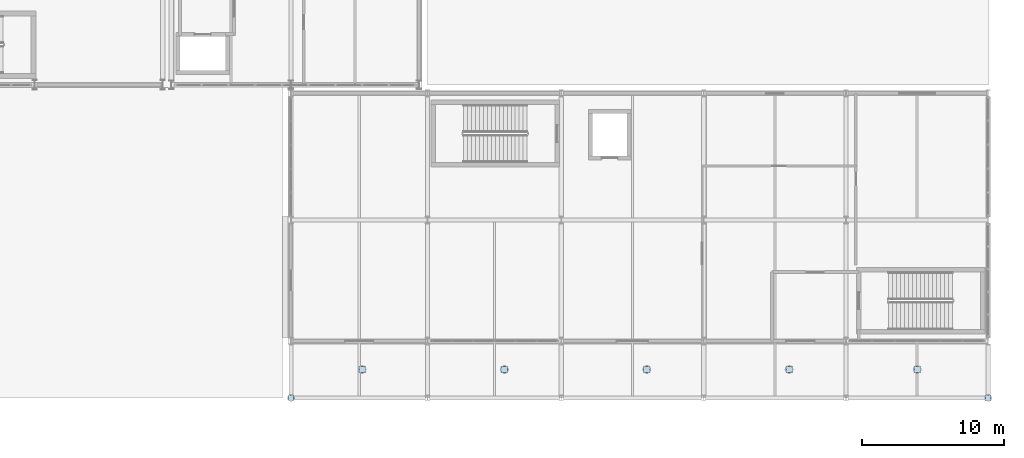
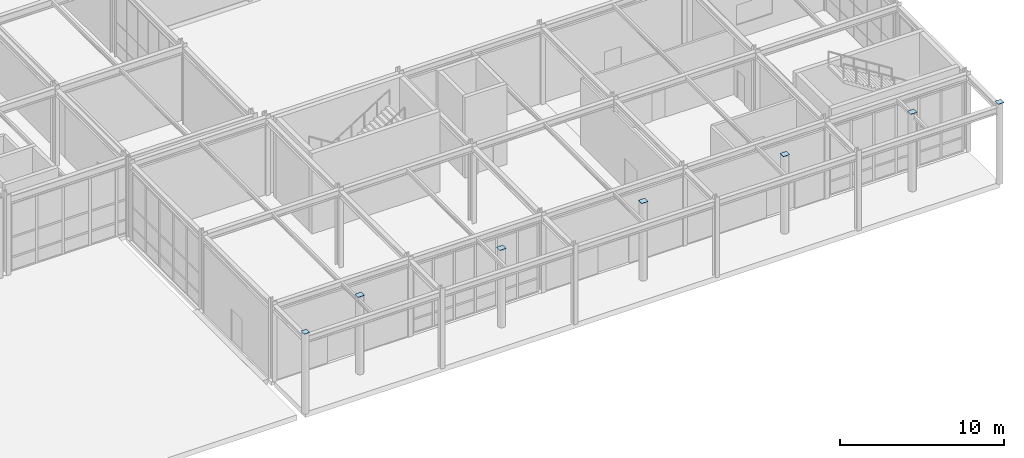
# One storey, part 116 of 146: 7 plates.
"""IFC4 building model written with IfcOpenShell, lengths in metres."""

from ifc_helpers import new_model, si_unit, direction, frame, origin, origin_2d, place, context, subcontext, project, spatial, rectangle, extrude, material, type_object, element, save


model = new_model("IFC4")

# Units and contexts
model_context = context("Model", 3, precision=1e-05, world=origin(), true_north=direction((0.0, 1.0)))
body_context = subcontext(model_context, "Body", "Model", "MODEL_VIEW")
ifc_project = project(units=[si_unit("LENGTHUNIT", "METRE"), si_unit("AREAUNIT", "SQUARE_METRE"), si_unit("VOLUMEUNIT", "CUBIC_METRE"), si_unit("PLANEANGLEUNIT", "RADIAN"), si_unit("MASSUNIT", "GRAM", prefix="KILO")], contexts=[model_context])

# Site, building, storey
site_placement = place(None, origin())
site = spatial("IfcSite", under=ifc_project, at=site_placement, CompositionType="ELEMENT")
building_placement = place(site_placement, origin())
building = spatial("IfcBuilding", under=site, at=building_placement, Name="Kaldris Quays Convention Centre", CompositionType="ELEMENT")
storey_placement = place(building_placement, origin())
storey = spatial("IfcBuildingStorey", under=building, at=storey_placement, Name="L00", CompositionType="ELEMENT", Elevation=0.0)

# Plates
ifc_material = material(Name="Steel S355J2", Category="steel")
plate_type_1 = type_object("IfcPlateType", Name="GUSSET PLATE GP01", PredefinedType="USERDEFINED", material=ifc_material)
plate_1_placement = place(storey_placement, frame((155.0, 16.0, 5.990966796875), z_axis=(0.0, 0.0, 1.0), x_axis=(1.0, 0.0, 0.0)))
element("IfcPlate", 1, at=plate_1_placement, inside=storey, type_object=plate_type_1, Name="L00 Hollow Column Sealed Cap Plate GP01 459", ObjectType="GUSSET PLATE", PredefinedType="USERDEFINED", context=body_context, shape_type="SweptSolid", body=[
    extrude(rectangle(XDim=0.360107421875, YDim=0.39990234375, at=origin_2d()), origin(), (0.0, 0.0, 1.0), 0.01806640625),
])
plate_type_2 = type_object("IfcPlateType", Name="GUSSET PLATE GP02", PredefinedType="USERDEFINED", material=ifc_material)
plate_2_placement = place(storey_placement, frame((204.0, 16.0, 5.989990234375), z_axis=(0.0, 0.0, 1.0), x_axis=(1.0, 0.0, 0.0)))
element("IfcPlate", 2, at=plate_2_placement, inside=storey, type_object=plate_type_2, Name="L00 Hollow Column Sealed Cap Plate GP02 538", ObjectType="GUSSET PLATE", PredefinedType="USERDEFINED", context=body_context, shape_type="SweptSolid", body=[
    extrude(rectangle(XDim=0.405029296875, YDim=0.39990234375, at=origin_2d()), origin(), (0.0, 0.0, 1.0), 0.02001953125),
])
plate_type_3 = type_object("IfcPlateType", Name="GUSSET PLATE GP03", PredefinedType="USERDEFINED", material=ifc_material)
for number, where, z_axis, x_axis, name in (
    (3, (160.0, 18.0, 5.783935546875), (0.0, 0.0, 1.0), (1.0, 0.0, 0.0), "L00 Tubular Post Sealed Cap Plate GP03 1"),
    (4, (170.0, 18.0, 5.783935546875), (0.0, 0.0, 1.0), (1.0, 0.0, 0.0), "L00 Tubular Post Sealed Cap Plate GP03 2"),
    (5, (180.0, 18.0, 5.783935546875), (0.0, 0.0, 1.0), (1.0, 0.0, 0.0), "L00 Tubular Post Sealed Cap Plate GP03 3"),
    (6, (190.0, 18.0, 5.783935546875), (0.0, 0.0, 1.0), (1.0, 0.0, 0.0), "L00 Tubular Post Sealed Cap Plate GP03 4"),
    (7, (199.0, 18.0, 5.783935546875), (0.0, 0.0, 1.0), (1.0, 0.0, 0.0), "L00 Tubular Post Sealed Cap Plate GP03 5"),
):
    element("IfcPlate", number, at=place(storey_placement, frame(where, z_axis=z_axis, x_axis=x_axis)), inside=storey, type_object=plate_type_3, Name=name, ObjectType="GUSSET PLATE", PredefinedType="USERDEFINED", context=body_context, shape_type="SweptSolid", body=[
        extrude(rectangle(XDim=0.449951171875, YDim=0.39990234375, at=origin_2d()), origin(), (0.0, 0.0, 1.0), 0.02197265625),
    ])

save(model, "model.ifc")
